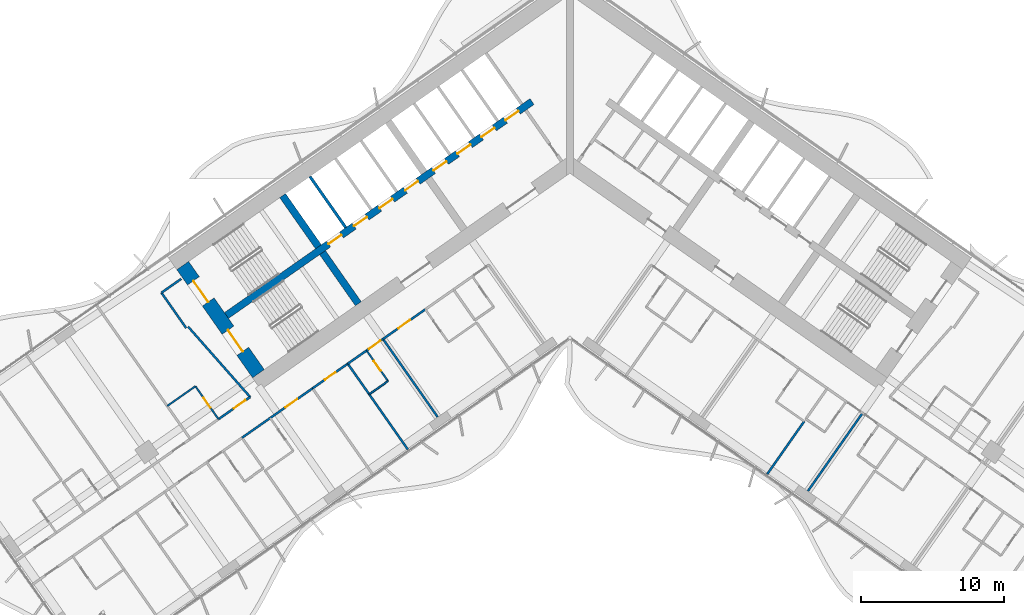
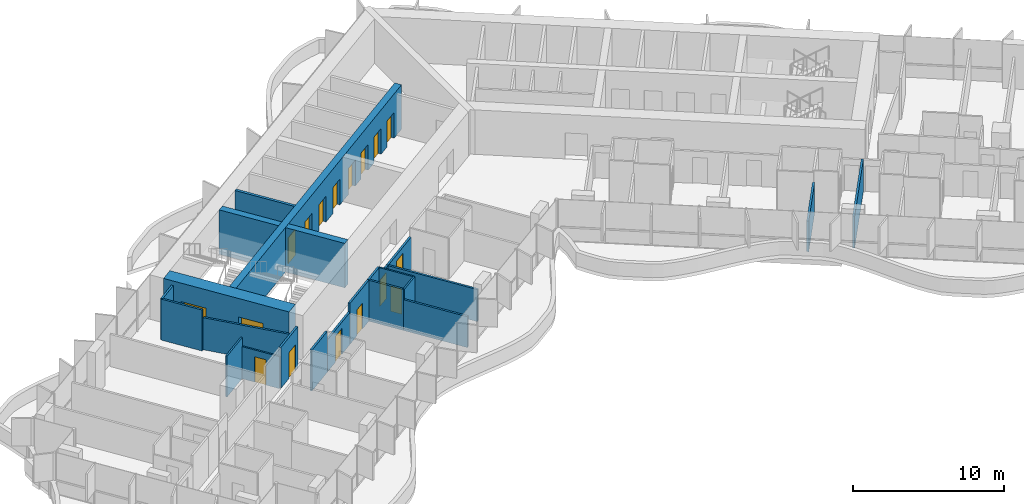
# One storey, part 14 of 25: 24 walls, 17 doors, 17 openings.
"""IFC4 building model written with IfcOpenShell, lengths in metres."""

from ifc_helpers import new_model, si_unit, direction, frame, frame_2d, origin, place, context, subcontext, project, spatial, polyline, rectangle, outline, extrude, material, layer, layer_set, type_object, element, fill, save


model = new_model("IFC4")

# Units and contexts
model_context = context("Model", 3, precision=1e-05, world=origin(), true_north=direction((0.0, 1.0)))
body_context = subcontext(model_context, "Body", "Model", "MODEL_VIEW")
ifc_project = project(units=[si_unit("LENGTHUNIT", "METRE"), si_unit("AREAUNIT", "SQUARE_METRE"), si_unit("VOLUMEUNIT", "CUBIC_METRE"), si_unit("PLANEANGLEUNIT", "RADIAN"), si_unit("MASSUNIT", "GRAM", prefix="KILO")], contexts=[model_context])

# Site, building, storey
site_placement = place(None, origin())
site = spatial("IfcSite", under=ifc_project, at=site_placement, CompositionType="ELEMENT")
building_placement = place(site_placement, origin())
building = spatial("IfcBuilding", under=site, at=building_placement, Name="Tel Ilan Convention Tower", CompositionType="ELEMENT")
storey_placement = place(building_placement, frame((0.0, 0.0, 58.10009765625)))
storey = spatial("IfcBuildingStorey", under=building, at=storey_placement, Name="L09", CompositionType="ELEMENT", Elevation=58.10009765625)

# Wall, openings, doors
ifc_material_1 = material(Name="Concrete C60/75", Category="concrete")
ifc_layer_1 = layer(ifc_material_1, 1.0)
ifc_layer_set_1 = layer_set([ifc_layer_1], Name="Core Shear Wall 1000 mm C60/75")
wall_type_1 = type_object("IfcWallType", Name="Core Shear Wall 1000 mm C60/75", PredefinedType="SHEAR", material=ifc_layer_set_1)
wall_1_placement = place(storey_placement, frame((-21.70751953125, -15.19970703125, 0.0), z_axis=(0.0, 0.0, 1.0), x_axis=(-0.573576324356, 0.819152122709, 0.0)))
wall_1 = element("IfcWall", 1, at=wall_1_placement, inside=storey, type_object=wall_type_1, Name="L09 core wall W-end", PredefinedType="SHEAR", context=body_context, shape_type="SweptSolid", body=[
    extrude(outline(polyline([(0.0, 0.5), (0.0, -0.5), (9.199951171875, -0.5), (9.199951171875, 0.5), (0.0, 0.5)])), origin(), (0.0, 0.0, 1.0), 3.599853515625),
])
opening_1_placement = place(wall_1_placement, frame((6.10009765625, 0.0, 0.0)))
opening_1 = element("IfcOpeningElement", 2, at=opening_1_placement, cuts=wall_1, Name="Opening SD1101", PredefinedType="OPENING", context=body_context, shape_type="SweptSolid", body=[
    extrude(rectangle(XDim=1.800048828125, YDim=2.10009765625, at=frame_2d((0.89990234375, 1.050048828125))), frame((0.0, 0.510009765625, 0.0), z_axis=(0.0, -1.0, 0.0), x_axis=(1.0, 0.0, 0.0)), (0.0, 0.0, 1.0), 1.02001953125),
])
opening_2_placement = place(wall_1_placement, frame((1.89990234375, 0.0, 0.0)))
opening_2 = element("IfcOpeningElement", 3, at=opening_2_placement, cuts=wall_1, Name="Opening SD1102", PredefinedType="OPENING", context=body_context, shape_type="SweptSolid", body=[
    extrude(rectangle(XDim=1.800048828125, YDim=2.10009765625, at=frame_2d((0.89990234375, 1.050048828125))), frame((0.0, 0.510009765625, 0.0), z_axis=(0.0, -1.0, 0.0), x_axis=(1.0, 0.0, 0.0)), (0.0, 0.0, 1.0), 1.02001953125),
])
ifc_material_2 = material(Name="Galvanised Steel Door Leaf", Category="steel")
door_type_1 = type_object("IfcDoorType", Name="Stair Fire Door 1800 x 2100 FD60S", OperationType="NOTDEFINED", PredefinedType="DOOR", material=ifc_material_2)
door_1_placement = place(opening_1_placement, origin())
door_1 = element("IfcDoor", 4, at=door_1_placement, inside=storey, type_object=door_type_1, Name="Stair S1 door", OperationType="DOUBLE_DOOR_SINGLE_SWING", OverallHeight=2.10009765625, OverallWidth=1.800048828125, PredefinedType="DOOR", context=body_context, shape_type="SweptSolid", body=[
    extrude(rectangle(XDim=1.800048828125, YDim=2.10009765625, at=frame_2d((0.89990234375, 1.050048828125))), frame((0.0, 0.02490234375, 0.0), z_axis=(0.0, -1.0, 0.0), x_axis=(1.0, 0.0, 0.0)), (0.0, 0.0, 1.0), 0.050048828125),
])
fill(opening_1, door_1)
door_2_placement = place(opening_2_placement, origin())
door_2 = element("IfcDoor", 5, at=door_2_placement, inside=storey, type_object=door_type_1, Name="Stair S2 door", OperationType="DOUBLE_DOOR_SINGLE_SWING", OverallHeight=2.10009765625, OverallWidth=1.800048828125, PredefinedType="DOOR", context=body_context, shape_type="SweptSolid", body=[
    extrude(rectangle(XDim=1.800048828125, YDim=2.10009765625, at=frame_2d((0.89990234375, 1.050048828125))), frame((0.0, 0.02490234375, 0.0), z_axis=(0.0, -1.0, 0.0), x_axis=(1.0, 0.0, 0.0)), (0.0, 0.0, 1.0), 0.050048828125),
])
fill(opening_2, door_2)

# Walls
ifc_material_3 = material(Name="Concrete C60/75", Category="concrete")
ifc_layer_2 = layer(ifc_material_3, 0.5)
ifc_layer_set_2 = layer_set([ifc_layer_2], Name="Core Shear Wall 500 mm C60/75")
wall_type_2 = type_object("IfcWallType", Name="Core Shear Wall 500 mm C60/75", PredefinedType="SHEAR", material=ifc_layer_set_2)
wall_2_placement = place(storey_placement, frame((-14.74462890625, -10.324462890625, 0.0), z_axis=(0.0, 0.0, 1.0), x_axis=(-0.57356780395, 0.819158088694, 0.0)))
element("IfcWall", 6, at=wall_2_placement, inside=storey, type_object=wall_type_2, Name="L09 core wall W-cross2-1", PredefinedType="SHEAR", context=body_context, shape_type="SweptSolid", body=[
    extrude(outline(polyline([(4.35009765625, 0.250244140625), (0.0, 0.25), (0.0, -0.25), (4.35009765625, -0.25), (4.35009765625, 0.250244140625)])), origin(), (0.0, 0.0, 1.0), 3.599853515625),
])
wall_3_placement = place(storey_placement, frame((-17.526611328125, -6.3515625, 0.0), z_axis=(0.0, 0.0, 1.0), x_axis=(-0.573530143085, 0.819184457233, 0.0)))
element("IfcWall", 7, at=wall_3_placement, inside=storey, type_object=wall_type_2, Name="L09 core wall W-cross2-2", PredefinedType="SHEAR", context=body_context, shape_type="SweptSolid", body=[
    extrude(outline(polyline([(4.35009765625, -0.249755859375), (4.35009765625, 0.250244140625), (0.0, 0.25), (0.0, -0.25), (4.35009765625, -0.249755859375)])), origin(), (0.0, 0.0, 1.0), 3.599853515625),
])

# Wall, openings, doors
wall_4_placement = place(storey_placement, frame((-2.638427734375, 3.76806640625, 0.0), z_axis=(0.0, 0.0, 1.0), x_axis=(-0.819148977158, -0.573580816643, 0.0)))
wall_4 = element("IfcWall", 8, at=wall_4_placement, inside=storey, type_object=wall_type_2, Name="L09 core wall W-spine", PredefinedType="SHEAR", context=body_context, shape_type="SweptSolid", body=[
    extrude(outline(polyline([(26.0, 0.249755859375), (0.0, 0.25), (0.0, -0.25), (26.0, -0.250244140625), (26.0, 0.249755859375)])), origin(), (0.0, 0.0, 1.0), 3.599853515625),
])
opening_3_placement = place(wall_4_placement, frame((1.168701171875, 0.0, 0.0)))
opening_3 = element("IfcOpeningElement", 9, at=opening_3_placement, cuts=wall_4, Name="Opening LD1104", PredefinedType="OPENING", context=body_context, shape_type="SweptSolid", body=[
    extrude(rectangle(XDim=1.10009765625, YDim=2.10009765625, at=frame_2d((0.550048828125, 1.050048828125))), frame((0.0, 0.260009765625, 0.0), z_axis=(0.0, -1.0, 0.0), x_axis=(1.0, 0.0, 0.0)), (0.0, 0.0, 1.0), 0.52001953125),
])
opening_4_placement = place(wall_4_placement, frame((3.206298828125, 0.0, 0.0)))
opening_4 = element("IfcOpeningElement", 10, at=opening_4_placement, cuts=wall_4, Name="Opening LD1105", PredefinedType="OPENING", context=body_context, shape_type="SweptSolid", body=[
    extrude(rectangle(XDim=1.10009765625, YDim=2.10009765625, at=frame_2d((0.550048828125, 1.050048828125))), frame((0.0, 0.260009765625, 0.0), z_axis=(0.0, -1.0, 0.0), x_axis=(1.0, 0.0, 0.0)), (0.0, 0.0, 1.0), 0.52001953125),
])
opening_5_placement = place(wall_4_placement, frame((5.24365234375, 0.0, 0.0)))
opening_5 = element("IfcOpeningElement", 11, at=opening_5_placement, cuts=wall_4, Name="Opening LD1106", PredefinedType="OPENING", context=body_context, shape_type="SweptSolid", body=[
    extrude(rectangle(XDim=1.10009765625, YDim=2.10009765625, at=frame_2d((0.550048828125, 1.050048828125))), frame((0.0, 0.260009765625, 0.0), z_axis=(0.0, -1.0, 0.0), x_axis=(1.0, 0.0, 0.0)), (0.0, 0.0, 1.0), 0.52001953125),
])
opening_6_placement = place(wall_4_placement, frame((7.28125, 0.0, 0.0)))
opening_6 = element("IfcOpeningElement", 12, at=opening_6_placement, cuts=wall_4, Name="Opening LD1107", PredefinedType="OPENING", context=body_context, shape_type="SweptSolid", body=[
    extrude(rectangle(XDim=1.10009765625, YDim=2.10009765625, at=frame_2d((0.550048828125, 1.050048828125))), frame((0.0, 0.260009765625, 0.0), z_axis=(0.0, -1.0, 0.0), x_axis=(1.0, 0.0, 0.0)), (0.0, 0.0, 1.0), 0.52001953125),
])
opening_7_placement = place(wall_4_placement, frame((9.6875, 0.0, 0.0)))
opening_7 = element("IfcOpeningElement", 13, at=opening_7_placement, cuts=wall_4, Name="Opening LD1108", PredefinedType="OPENING", context=body_context, shape_type="SweptSolid", body=[
    extrude(rectangle(XDim=1.10009765625, YDim=2.10009765625, at=frame_2d((0.550048828125, 1.050048828125))), frame((0.0, 0.260009765625, 0.0), z_axis=(0.0, -1.0, 0.0), x_axis=(1.0, 0.0, 0.0)), (0.0, 0.0, 1.0), 0.52001953125),
])
opening_8_placement = place(wall_4_placement, frame((11.862548828125, 0.0, 0.0)))
opening_8 = element("IfcOpeningElement", 14, at=opening_8_placement, cuts=wall_4, Name="Opening LD1109", PredefinedType="OPENING", context=body_context, shape_type="SweptSolid", body=[
    extrude(rectangle(XDim=1.10009765625, YDim=2.10009765625, at=frame_2d((0.550048828125, 1.050048828125))), frame((0.0, 0.260009765625, 0.0), z_axis=(0.0, -1.0, 0.0), x_axis=(1.0, 0.0, 0.0)), (0.0, 0.0, 1.0), 0.52001953125),
])
opening_9_placement = place(wall_4_placement, frame((14.03759765625, 0.0, 0.0)))
opening_9 = element("IfcOpeningElement", 15, at=opening_9_placement, cuts=wall_4, Name="Opening LD1110", PredefinedType="OPENING", context=body_context, shape_type="SweptSolid", body=[
    extrude(rectangle(XDim=1.10009765625, YDim=2.10009765625, at=frame_2d((0.550048828125, 1.050048828125))), frame((0.0, 0.260009765625, 0.0), z_axis=(0.0, -1.0, 0.0), x_axis=(1.0, 0.0, 0.0)), (0.0, 0.0, 1.0), 0.52001953125),
])
opening_10_placement = place(wall_4_placement, frame((16.21240234375, 0.0, 0.0)))
opening_10 = element("IfcOpeningElement", 16, at=opening_10_placement, cuts=wall_4, Name="Opening LD1111", PredefinedType="OPENING", context=body_context, shape_type="SweptSolid", body=[
    extrude(rectangle(XDim=1.10009765625, YDim=2.10009765625, at=frame_2d((0.550048828125, 1.050048828125))), frame((0.0, 0.260009765625, 0.0), z_axis=(0.0, -1.0, 0.0), x_axis=(1.0, 0.0, 0.0)), (0.0, 0.0, 1.0), 0.52001953125),
])
ifc_material_4 = material(Name="Stainless Steel Sliding Door Leaf", Category="steel")
door_type_2 = type_object("IfcDoorType", Name="Lift Landing Door 1100 x 2100 FD120", OperationType="NOTDEFINED", PredefinedType="DOOR", material=ifc_material_4)
door_3_placement = place(opening_3_placement, origin())
door_3 = element("IfcDoor", 17, at=door_3_placement, inside=storey, type_object=door_type_2, Name="Lift LR1 landing door", OperationType="SLIDING_TO_LEFT", OverallHeight=2.10009765625, OverallWidth=1.10009765625, PredefinedType="DOOR", context=body_context, shape_type="SweptSolid", body=[
    extrude(rectangle(XDim=1.10009765625, YDim=2.10009765625, at=frame_2d((0.550048828125, 1.050048828125))), frame((0.0, 0.02490234375, 0.0), z_axis=(0.0, -1.0, 0.0), x_axis=(1.0, 0.0, 0.0)), (0.0, 0.0, 1.0), 0.050048828125),
])
fill(opening_3, door_3)
door_4_placement = place(opening_4_placement, origin())
door_4 = element("IfcDoor", 18, at=door_4_placement, inside=storey, type_object=door_type_2, Name="Lift LR2 landing door", OperationType="SLIDING_TO_RIGHT", OverallHeight=2.10009765625, OverallWidth=1.10009765625, PredefinedType="DOOR", context=body_context, shape_type="SweptSolid", body=[
    extrude(rectangle(XDim=1.10009765625, YDim=2.10009765625, at=frame_2d((0.550048828125, 1.050048828125))), frame((0.0, 0.02490234375, 0.0), z_axis=(0.0, -1.0, 0.0), x_axis=(1.0, 0.0, 0.0)), (0.0, 0.0, 1.0), 0.050048828125),
])
fill(opening_4, door_4)
door_5_placement = place(opening_5_placement, origin())
door_5 = element("IfcDoor", 19, at=door_5_placement, inside=storey, type_object=door_type_2, Name="Lift LR3 landing door", OperationType="SLIDING_TO_LEFT", OverallHeight=2.10009765625, OverallWidth=1.10009765625, PredefinedType="DOOR", context=body_context, shape_type="SweptSolid", body=[
    extrude(rectangle(XDim=1.10009765625, YDim=2.10009765625, at=frame_2d((0.550048828125, 1.050048828125))), frame((0.0, 0.02490234375, 0.0), z_axis=(0.0, -1.0, 0.0), x_axis=(1.0, 0.0, 0.0)), (0.0, 0.0, 1.0), 0.050048828125),
])
fill(opening_5, door_5)
door_6_placement = place(opening_6_placement, origin())
door_6 = element("IfcDoor", 20, at=door_6_placement, inside=storey, type_object=door_type_2, Name="Lift LR4 landing door", OperationType="SLIDING_TO_RIGHT", OverallHeight=2.10009765625, OverallWidth=1.10009765625, PredefinedType="DOOR", context=body_context, shape_type="SweptSolid", body=[
    extrude(rectangle(XDim=1.10009765625, YDim=2.10009765625, at=frame_2d((0.550048828125, 1.050048828125))), frame((0.0, 0.02490234375, 0.0), z_axis=(0.0, -1.0, 0.0), x_axis=(1.0, 0.0, 0.0)), (0.0, 0.0, 1.0), 0.050048828125),
])
fill(opening_6, door_6)
door_7_placement = place(opening_7_placement, origin())
door_7 = element("IfcDoor", 21, at=door_7_placement, inside=storey, type_object=door_type_2, Name="Lift LR5 landing door", OperationType="SLIDING_TO_LEFT", OverallHeight=2.10009765625, OverallWidth=1.10009765625, PredefinedType="DOOR", context=body_context, shape_type="SweptSolid", body=[
    extrude(rectangle(XDim=1.10009765625, YDim=2.10009765625, at=frame_2d((0.550048828125, 1.050048828125))), frame((0.0, 0.02490234375, 0.0), z_axis=(0.0, -1.0, 0.0), x_axis=(1.0, 0.0, 0.0)), (0.0, 0.0, 1.0), 0.050048828125),
])
fill(opening_7, door_7)
door_8_placement = place(opening_8_placement, origin())
door_8 = element("IfcDoor", 22, at=door_8_placement, inside=storey, type_object=door_type_2, Name="Lift LR6 landing door", OperationType="SLIDING_TO_RIGHT", OverallHeight=2.10009765625, OverallWidth=1.10009765625, PredefinedType="DOOR", context=body_context, shape_type="SweptSolid", body=[
    extrude(rectangle(XDim=1.10009765625, YDim=2.10009765625, at=frame_2d((0.550048828125, 1.050048828125))), frame((0.0, 0.02490234375, 0.0), z_axis=(0.0, -1.0, 0.0), x_axis=(1.0, 0.0, 0.0)), (0.0, 0.0, 1.0), 0.050048828125),
])
fill(opening_8, door_8)
door_9_placement = place(opening_9_placement, origin())
door_9 = element("IfcDoor", 23, at=door_9_placement, inside=storey, type_object=door_type_2, Name="Lift LR7 landing door", OperationType="SLIDING_TO_LEFT", OverallHeight=2.10009765625, OverallWidth=1.10009765625, PredefinedType="DOOR", context=body_context, shape_type="SweptSolid", body=[
    extrude(rectangle(XDim=1.10009765625, YDim=2.10009765625, at=frame_2d((0.550048828125, 1.050048828125))), frame((0.0, 0.02490234375, 0.0), z_axis=(0.0, -1.0, 0.0), x_axis=(1.0, 0.0, 0.0)), (0.0, 0.0, 1.0), 0.050048828125),
])
fill(opening_9, door_9)
door_10_placement = place(opening_10_placement, origin())
door_10 = element("IfcDoor", 24, at=door_10_placement, inside=storey, type_object=door_type_2, Name="Lift LR8 landing door", OperationType="SLIDING_TO_RIGHT", OverallHeight=2.10009765625, OverallWidth=1.10009765625, PredefinedType="DOOR", context=body_context, shape_type="SweptSolid", body=[
    extrude(rectangle(XDim=1.10009765625, YDim=2.10009765625, at=frame_2d((0.550048828125, 1.050048828125))), frame((0.0, 0.02490234375, 0.0), z_axis=(0.0, -1.0, 0.0), x_axis=(1.0, 0.0, 0.0)), (0.0, 0.0, 1.0), 0.050048828125),
])
fill(opening_10, door_10)

# Wall, opening, door
ifc_material_5 = material(Name="Plasterboard on Steel Studs", Category="steel")
ifc_layer_3 = layer(ifc_material_5, 0.14990234375)
ifc_layer_set_3 = layer_set([ifc_layer_3], Name="Fire-rated Partition 150 EI 60")
wall_type_3 = type_object("IfcWallType", Name="Fire-rated Partition 150 EI 60", PredefinedType="PARTITIONING", material=ifc_layer_set_3)
wall_5_placement = place(storey_placement, frame((-24.493408203125, -18.37109375, 0.0), z_axis=(0.0, 0.0, 1.0), x_axis=(0.819176640776, 0.573541307325, 0.0)))
wall_5 = element("IfcWall", 25, at=wall_5_placement, inside=storey, type_object=wall_type_3, Name="Partition 028", PredefinedType="PARTITIONING", context=body_context, shape_type="SweptSolid", body=[
    extrude(rectangle(XDim=2.697509765625, YDim=0.14990234375, at=frame_2d((1.3486328125, 0.0))), origin(), (0.0, 0.0, 1.0), 3.31982421875),
])
opening_11_placement = place(wall_5_placement, frame((1.301025390625, 0.0, 0.0)))
opening_11 = element("IfcOpeningElement", 26, at=opening_11_placement, cuts=wall_5, Name="Opening L08-018", PredefinedType="OPENING", context=body_context, shape_type="SweptSolid", body=[
    extrude(rectangle(XDim=1.0, YDim=2.10009765625, at=frame_2d((0.5, 1.050048828125))), frame((0.0, 0.0849609375, 0.0), z_axis=(0.0, -1.0, 0.0), x_axis=(1.0, 0.0, 0.0)), (0.0, 0.0, 1.0), 0.169921875),
])
ifc_material_6 = material(Name="Timber Door Leaf in Steel Frame", Category="steel")
door_type_3 = type_object("IfcDoorType", Name="Hotel Room Entrance Fire Door 1000x2100", OperationType="NOTDEFINED", PredefinedType="DOOR", material=ifc_material_6)
door_11_placement = place(opening_11_placement, origin())
door_11 = element("IfcDoor", 27, at=door_11_placement, inside=storey, type_object=door_type_3, Name="Door L08-018", OperationType="SINGLE_SWING_RIGHT", OverallHeight=2.10009765625, OverallWidth=1.0, PredefinedType="DOOR", context=body_context, shape_type="SweptSolid", body=[
    extrude(rectangle(XDim=1.0, YDim=2.10009765625, at=frame_2d((0.5, 1.050048828125))), frame((0.0, 0.02490234375, 0.0), z_axis=(0.0, -1.0, 0.0), x_axis=(1.0, 0.0, 0.0)), (0.0, 0.0, 1.0), 0.050048828125),
])
fill(opening_11, door_11)

wall_6_placement = place(storey_placement, frame((-10.07421875, -10.71630859375, 0.0), z_axis=(0.0, 0.0, 1.0), x_axis=(-0.819145961204, -0.573585123798, 0.0)))
wall_6 = element("IfcWall", 28, at=wall_6_placement, inside=storey, type_object=wall_type_3, Name="Partition 037", PredefinedType="PARTITIONING", context=body_context, shape_type="SweptSolid", body=[
    extrude(rectangle(XDim=3.60302734375, YDim=0.14990234375, at=frame_2d((1.801513671875, 0.0))), origin(), (0.0, 0.0, 1.0), 2.599853515625),
])
opening_12_placement = place(wall_6_placement, frame((1.301025390625, 0.0, 0.0)))
opening_12 = element("IfcOpeningElement", 29, at=opening_12_placement, cuts=wall_6, Name="Opening L08-004", PredefinedType="OPENING", context=body_context, shape_type="SweptSolid", body=[
    extrude(rectangle(XDim=1.0, YDim=2.10009765625, at=frame_2d((0.5, 1.050048828125))), frame((0.0, 0.0849609375, 0.0), z_axis=(0.0, -1.0, 0.0), x_axis=(1.0, 0.0, 0.0)), (0.0, 0.0, 1.0), 0.169921875),
])
door_12_placement = place(opening_12_placement, origin())
door_12 = element("IfcDoor", 30, at=door_12_placement, inside=storey, type_object=door_type_3, Name="Door L08-004", OperationType="SINGLE_SWING_RIGHT", OverallHeight=2.10009765625, OverallWidth=1.0, PredefinedType="DOOR", context=body_context, shape_type="SweptSolid", body=[
    extrude(rectangle(XDim=1.0, YDim=2.10009765625, at=frame_2d((0.5, 1.050048828125))), frame((0.0, 0.02490234375, 0.0), z_axis=(0.0, -1.0, 0.0), x_axis=(1.0, 0.0, 0.0)), (0.0, 0.0, 1.0), 0.050048828125),
])
fill(opening_12, door_12)

wall_7_placement = place(storey_placement, frame((-13.0224609375, -12.78076171875, 0.0), z_axis=(0.0, 0.0, 1.0), x_axis=(-0.81914197737, -0.573590813132, 0.0)))
wall_7 = element("IfcWall", 31, at=wall_7_placement, inside=storey, type_object=wall_type_3, Name="Partition 039", PredefinedType="PARTITIONING", context=body_context, shape_type="SweptSolid", body=[
    extrude(rectangle(XDim=1.40283203125, YDim=0.14990234375, at=frame_2d((0.701416015625, 0.0))), origin(), (0.0, 0.0, 1.0), 2.599853515625),
])
opening_13_placement = place(wall_7_placement, frame((0.201904296875, 0.0, 0.0)))
opening_13 = element("IfcOpeningElement", 32, at=opening_13_placement, cuts=wall_7, Name="Opening L08-006", PredefinedType="OPENING", context=body_context, shape_type="SweptSolid", body=[
    extrude(rectangle(XDim=1.0, YDim=2.10009765625, at=frame_2d((0.5, 1.050048828125))), frame((0.0, 0.0849609375, 0.0), z_axis=(0.0, -1.0, 0.0), x_axis=(1.0, 0.0, 0.0)), (0.0, 0.0, 1.0), 0.169921875),
])
door_13_placement = place(opening_13_placement, origin())
door_13 = element("IfcDoor", 33, at=door_13_placement, inside=storey, type_object=door_type_3, Name="Door L08-006", OperationType="SINGLE_SWING_LEFT", OverallHeight=2.10009765625, OverallWidth=1.0, PredefinedType="DOOR", context=body_context, shape_type="SweptSolid", body=[
    extrude(rectangle(XDim=1.0, YDim=2.10009765625, at=frame_2d((0.5, 1.050048828125))), frame((0.0, 0.02490234375, 0.0), z_axis=(0.0, -1.0, 0.0), x_axis=(1.0, 0.0, 0.0)), (0.0, 0.0, 1.0), 0.050048828125),
])
fill(opening_13, door_13)

# Wall
wall_8_placement = place(storey_placement, frame((-14.169189453125, -13.583740234375, 0.0), z_axis=(0.0, 0.0, 1.0), x_axis=(-0.819189013667, -0.573523634986, 0.0)))
element("IfcWall", 34, at=wall_8_placement, inside=storey, type_object=wall_type_3, Name="Partition 040", PredefinedType="PARTITIONING", context=body_context, shape_type="SweptSolid", body=[
    extrude(rectangle(XDim=1.60400390625, YDim=0.14990234375, at=frame_2d((0.802001953125, 0.0))), origin(), (0.0, 0.0, 1.0), 3.31982421875),
])

# Wall, opening, door
wall_9_placement = place(storey_placement, frame((-15.479736328125, -14.50146484375, 0.0), z_axis=(0.0, 0.0, 1.0), x_axis=(-0.819193738533, -0.573516886193, 0.0)))
wall_9 = element("IfcWall", 35, at=wall_9_placement, inside=storey, type_object=wall_type_3, Name="Partition 041", PredefinedType="PARTITIONING", context=body_context, shape_type="SweptSolid", body=[
    extrude(rectangle(XDim=3.004150390625, YDim=0.14990234375, at=frame_2d((1.501953125, 0.0))), origin(), (0.0, 0.0, 1.0), 3.31982421875),
])
opening_14_placement = place(wall_9_placement, frame((1.052001953125, 0.0, 0.0)))
opening_14 = element("IfcOpeningElement", 36, at=opening_14_placement, cuts=wall_9, Name="Opening L08-007", PredefinedType="OPENING", context=body_context, shape_type="SweptSolid", body=[
    extrude(rectangle(XDim=0.89990234375, YDim=2.10009765625, at=frame_2d((0.449951171875, 1.050048828125))), frame((0.0, 0.0849609375, 0.0), z_axis=(0.0, -1.0, 0.0), x_axis=(1.0, 0.0, 0.0)), (0.0, 0.0, 1.0), 0.169921875),
])
ifc_material_7 = material(Name="Timber Door Leaf in Steel Frame", Category="steel")
door_type_4 = type_object("IfcDoorType", Name="Room Fire Door 900x2100", OperationType="NOTDEFINED", PredefinedType="DOOR", material=ifc_material_7)
door_14_placement = place(opening_14_placement, origin())
door_14 = element("IfcDoor", 37, at=door_14_placement, inside=storey, type_object=door_type_4, Name="Door L08-007", OperationType="SINGLE_SWING_RIGHT", OverallHeight=2.10009765625, OverallWidth=0.89990234375, PredefinedType="DOOR", context=body_context, shape_type="SweptSolid", body=[
    extrude(rectangle(XDim=0.89990234375, YDim=2.10009765625, at=frame_2d((0.449951171875, 1.050048828125))), frame((0.0, 0.02490234375, 0.0), z_axis=(0.0, -1.0, 0.0), x_axis=(1.0, 0.0, 0.0)), (0.0, 0.0, 1.0), 0.050048828125),
])
fill(opening_14, door_14)

wall_10_placement = place(storey_placement, frame((-17.937255859375, -16.22216796875, 0.0), z_axis=(0.0, 0.0, 1.0), x_axis=(-0.819145961204, -0.573585123798, 0.0)))
wall_10 = element("IfcWall", 38, at=wall_10_placement, inside=storey, type_object=wall_type_3, Name="Partition 042", PredefinedType="PARTITIONING", context=body_context, shape_type="SweptSolid", body=[
    extrude(rectangle(XDim=3.60302734375, YDim=0.14990234375, at=frame_2d((1.801513671875, 0.0))), origin(), (0.0, 0.0, 1.0), 2.599853515625),
])
opening_15_placement = place(wall_10_placement, frame((1.302001953125, 0.0, 0.0)))
opening_15 = element("IfcOpeningElement", 39, at=opening_15_placement, cuts=wall_10, Name="Opening L08-009", PredefinedType="OPENING", context=body_context, shape_type="SweptSolid", body=[
    extrude(rectangle(XDim=1.0, YDim=2.10009765625, at=frame_2d((0.5, 1.050048828125))), frame((0.0, 0.0849609375, 0.0), z_axis=(0.0, -1.0, 0.0), x_axis=(1.0, 0.0, 0.0)), (0.0, 0.0, 1.0), 0.169921875),
])
door_15_placement = place(opening_15_placement, origin())
door_15 = element("IfcDoor", 40, at=door_15_placement, inside=storey, type_object=door_type_3, Name="Door L08-009", OperationType="SINGLE_SWING_LEFT", OverallHeight=2.10009765625, OverallWidth=1.0, PredefinedType="DOOR", context=body_context, shape_type="SweptSolid", body=[
    extrude(rectangle(XDim=1.0, YDim=2.10009765625, at=frame_2d((0.5, 1.050048828125))), frame((0.0, 0.02490234375, 0.0), z_axis=(0.0, -1.0, 0.0), x_axis=(1.0, 0.0, 0.0)), (0.0, 0.0, 1.0), 0.050048828125),
])
fill(opening_15, door_15)

# Walls
wall_11_placement = place(storey_placement, frame((-20.88623046875, -18.287109375, 0.0), z_axis=(0.0, 0.0, 1.0), x_axis=(-0.819146032251, -0.573585022335, 0.0)))
element("IfcWall", 41, at=wall_11_placement, inside=storey, type_object=wall_type_3, Name="Partition 043", PredefinedType="PARTITIONING", context=body_context, shape_type="SweptSolid", body=[
    extrude(rectangle(XDim=2.404052734375, YDim=0.14990234375, at=frame_2d((1.2021484375, 0.0))), origin(), (0.0, 0.0, 1.0), 3.31982421875),
])
wall_12_placement = place(storey_placement, frame((16.332275390625, -18.517578125, 0.0), z_axis=(0.0, 0.0, 1.0), x_axis=(-0.573564311442, -0.819160534108, 0.0)))
element("IfcWall", 42, at=wall_12_placement, inside=storey, type_object=wall_type_3, Name="Partition 080", PredefinedType="PARTITIONING", context=body_context, shape_type="SweptSolid", body=[
    extrude(rectangle(XDim=4.499267578125, YDim=0.14990234375, at=frame_2d((2.24951171875, 0.0))), origin(), (0.0, 0.0, 1.0), 2.5),
])
wall_13_placement = place(storey_placement, frame((20.396484375, -17.944091796875, 0.0), z_axis=(0.0, 0.0, 1.0), x_axis=(-0.57359826181, -0.819136761505, 0.0)))
element("IfcWall", 43, at=wall_13_placement, inside=storey, type_object=wall_type_3, Name="Partition 084", PredefinedType="PARTITIONING", context=body_context, shape_type="SweptSolid", body=[
    extrude(rectangle(XDim=6.630126953125, YDim=0.14990234375, at=frame_2d((3.31494140625, 0.0))), origin(), (0.0, 0.0, 1.0), 2.599853515625),
])
wall_14_placement = place(storey_placement, frame((-26.74609375, -12.013671875, 0.0), z_axis=(0.0, 0.0, 1.0), x_axis=(-0.573560650686, 0.819163097304, 0.0)))
element("IfcWall", 44, at=wall_14_placement, inside=storey, type_object=wall_type_3, Name="Partition 102", PredefinedType="PARTITIONING", context=body_context, shape_type="SweptSolid", body=[
    extrude(rectangle(XDim=3.0, YDim=0.14990234375, at=frame_2d((1.5, 0.0))), origin(), (0.0, 0.0, 1.0), 3.31982421875),
])
wall_15_placement = place(storey_placement, frame((-28.466796875, -9.55615234375, 0.0), z_axis=(0.0, 0.0, 1.0), x_axis=(0.819109000826, 0.573637903879, 0.0)))
element("IfcWall", 45, at=wall_15_placement, inside=storey, type_object=wall_type_3, Name="Partition 103", PredefinedType="PARTITIONING", context=body_context, shape_type="SweptSolid", body=[
    extrude(rectangle(XDim=1.679931640625, YDim=0.14990234375, at=frame_2d((0.83984375, 0.0))), origin(), (0.0, 0.0, 1.0), 3.31982421875),
])
wall_16_placement = place(storey_placement, frame((-22.2841796875, -16.82666015625, 0.0), z_axis=(0.0, 0.0, 1.0), x_axis=(-0.661545117561, 0.749905365651, 0.0)))
element("IfcWall", 46, at=wall_16_placement, inside=storey, type_object=wall_type_3, Name="Partition 104", PredefinedType="PARTITIONING", context=body_context, shape_type="SweptSolid", body=[
    extrude(rectangle(XDim=6.542724609375, YDim=0.14990234375, at=frame_2d((3.271484375, 0.0))), origin(), (0.0, 0.0, 1.0), 2.599853515625),
])
wall_17_placement = place(storey_placement, frame((-9.22119140625, -18.212890625, 0.0), z_axis=(0.0, 0.0, 1.0), x_axis=(-0.573556251799, 0.819166177294, 0.0)))
element("IfcWall", 47, at=wall_17_placement, inside=storey, type_object=wall_type_3, Name="Partition 122", PredefinedType="PARTITIONING", context=body_context, shape_type="SweptSolid", body=[
    extrude(rectangle(XDim=6.630126953125, YDim=0.14990234375, at=frame_2d((3.31494140625, 0.0))), origin(), (0.0, 0.0, 1.0), 2.599853515625),
])
wall_18_placement = place(storey_placement, frame((-11.29443359375, -20.482421875, 0.0), z_axis=(0.0, 0.0, 1.0), x_axis=(-0.573559978739, 0.819163567787, 0.0)))
element("IfcWall", 48, at=wall_18_placement, inside=storey, type_object=wall_type_3, Name="Partition 125", PredefinedType="PARTITIONING", context=body_context, shape_type="SweptSolid", body=[
    extrude(rectangle(XDim=4.69873046875, YDim=0.14990234375, at=frame_2d((2.349365234375, 0.0))), origin(), (0.0, 0.0, 1.0), 2.5),
])
wall_19_placement = place(storey_placement, frame((-13.990234375, -16.63232421875, 0.0), z_axis=(0.0, 0.0, 1.0), x_axis=(-0.573582085028, 0.819148089014, 0.0)))
element("IfcWall", 49, at=wall_19_placement, inside=storey, type_object=wall_type_3, Name="Partition 126", PredefinedType="PARTITIONING", context=body_context, shape_type="SweptSolid", body=[
    extrude(rectangle(XDim=2.599853515625, YDim=0.14990234375, at=frame_2d((1.2998046875, 0.0))), origin(), (0.0, 0.0, 1.0), 3.31982421875),
])
ifc_material_8 = material(Name="Concrete C30/37", Category="concrete")
ifc_layer_4 = layer(ifc_material_8, 0.199951171875)
ifc_layer_set_4 = layer_set([ifc_layer_4], Name="Lift Shaft Wall 200 mm C30/37")
wall_type_4 = type_object("IfcWallType", Name="Lift Shaft Wall 200 mm C30/37", PredefinedType="SOLIDWALL", material=ifc_layer_set_4)
wall_20_placement = place(storey_placement, frame((-15.6220703125, -5.017822265625, 0.0), z_axis=(0.0, 0.0, 1.0), x_axis=(-0.573594173421, 0.819139624372, 0.0)))
element("IfcWall", 50, at=wall_20_placement, inside=storey, type_object=wall_type_4, Name="L09 core wall bank-W2-p2", PredefinedType="SOLIDWALL", context=body_context, shape_type="SweptSolid", body=[
    extrude(rectangle(XDim=4.349853515625, YDim=0.199951171875, at=frame_2d((2.1748046875, 0.0))), origin(), (0.0, 0.0, 1.0), 3.599853515625),
])

# Wall, opening, door
ifc_material_9 = material(Name="Plasterboard on Steel Studs", Category="steel")
ifc_layer_5 = layer(ifc_material_9, 0.1201171875)
ifc_layer_set_5 = layer_set([ifc_layer_5], Name="Moisture-resistant Partition 120")
wall_type_5 = type_object("IfcWallType", Name="Moisture-resistant Partition 120", PredefinedType="PARTITIONING", material=ifc_layer_set_5)
wall_21_placement = place(storey_placement, frame((-24.49169921875, -18.3701171875, 0.0), z_axis=(0.0, 0.0, 1.0), x_axis=(-0.573550118428, 0.819170471667, 0.0)))
wall_21 = element("IfcWall", 51, at=wall_21_placement, inside=storey, type_object=wall_type_5, Name="Partition 105", PredefinedType="PARTITIONING", context=body_context, shape_type="SweptSolid", body=[
    extrude(rectangle(XDim=2.800048828125, YDim=0.1201171875, at=frame_2d((1.39990234375, 0.0))), origin(), (0.0, 0.0, 1.0), 2.599853515625),
])
opening_16_placement = place(wall_21_placement, frame((0.97509765625, 0.0, 0.0)))
opening_16 = element("IfcOpeningElement", 52, at=opening_16_placement, cuts=wall_21, Name="Opening L08-017", PredefinedType="OPENING", context=body_context, shape_type="SweptSolid", body=[
    extrude(rectangle(XDim=0.85009765625, YDim=2.050048828125, at=frame_2d((0.425048828125, 1.02490234375))), frame((0.0, 0.070068359375, 0.0), z_axis=(0.0, -1.0, 0.0), x_axis=(1.0, 0.0, 0.0)), (0.0, 0.0, 1.0), 0.14013671875),
])
ifc_material_10 = material(Name="Timber Door Leaf in Steel Frame", Category="steel")
door_type_5 = type_object("IfcDoorType", Name="Bathroom Timber Door 850x2050", OperationType="NOTDEFINED", PredefinedType="DOOR", material=ifc_material_10)
door_16_placement = place(opening_16_placement, origin())
door_16 = element("IfcDoor", 53, at=door_16_placement, inside=storey, type_object=door_type_5, Name="Door L08-017", OperationType="SINGLE_SWING_LEFT", OverallHeight=2.050048828125, OverallWidth=0.85009765625, PredefinedType="DOOR", context=body_context, shape_type="SweptSolid", body=[
    extrude(rectangle(XDim=0.85009765625, YDim=2.050048828125, at=frame_2d((0.425048828125, 1.02490234375))), frame((0.0, 0.02490234375, 0.0), z_axis=(0.0, -1.0, 0.0), x_axis=(1.0, 0.0, 0.0)), (0.0, 0.0, 1.0), 0.050048828125),
])
fill(opening_16, door_16)

# Walls
wall_22_placement = place(storey_placement, frame((-26.09912109375, -16.076171875, 0.0), z_axis=(0.0, 0.0, 1.0), x_axis=(-0.819155442668, -0.573571582932, 0.0)))
element("IfcWall", 54, at=wall_22_placement, inside=storey, type_object=wall_type_5, Name="Partition 106", PredefinedType="PARTITIONING", context=body_context, shape_type="SweptSolid", body=[
    extrude(rectangle(XDim=2.39990234375, YDim=0.1201171875, at=frame_2d((1.199951171875, 0.0))), origin(), (0.0, 0.0, 1.0), 3.31982421875),
])
wall_23_placement = place(storey_placement, frame((-13.989501953125, -16.63330078125, 0.0), z_axis=(0.0, 0.0, 1.0), x_axis=(0.819131543282, 0.57360571371, 0.0)))
element("IfcWall", 55, at=wall_23_placement, inside=storey, type_object=wall_type_5, Name="Partition 123", PredefinedType="PARTITIONING", context=body_context, shape_type="SweptSolid", body=[
    extrude(rectangle(XDim=1.599853515625, YDim=0.1201171875, at=frame_2d((0.7998046875, 0.0))), origin(), (0.0, 0.0, 1.0), 3.31982421875),
])

# Wall, opening, door
wall_24_placement = place(storey_placement, frame((-12.6787109375, -15.714111328125, 0.0), z_axis=(0.0, 0.0, 1.0), x_axis=(-0.573537965655, 0.819178980414, 0.0)))
wall_24 = element("IfcWall", 56, at=wall_24_placement, inside=storey, type_object=wall_type_5, Name="Partition 124", PredefinedType="PARTITIONING", context=body_context, shape_type="SweptSolid", body=[
    extrude(rectangle(XDim=2.60009765625, YDim=0.1201171875, at=frame_2d((1.300048828125, 0.0))), origin(), (0.0, 0.0, 1.0), 3.31982421875),
])
opening_17_placement = place(wall_24_placement, frame((0.875, 0.0, 0.0)))
opening_17 = element("IfcOpeningElement", 57, at=opening_17_placement, cuts=wall_24, Name="Opening L08-005", PredefinedType="OPENING", context=body_context, shape_type="SweptSolid", body=[
    extrude(rectangle(XDim=0.85009765625, YDim=2.050048828125, at=frame_2d((0.425048828125, 1.02490234375))), frame((0.0, 0.070068359375, 0.0), z_axis=(0.0, -1.0, 0.0), x_axis=(1.0, 0.0, 0.0)), (0.0, 0.0, 1.0), 0.14013671875),
])
door_17_placement = place(opening_17_placement, origin())
door_17 = element("IfcDoor", 58, at=door_17_placement, inside=storey, type_object=door_type_5, Name="Door L08-005", OperationType="SINGLE_SWING_RIGHT", OverallHeight=2.050048828125, OverallWidth=0.85009765625, PredefinedType="DOOR", context=body_context, shape_type="SweptSolid", body=[
    extrude(rectangle(XDim=0.85009765625, YDim=2.050048828125, at=frame_2d((0.425048828125, 1.02490234375))), frame((0.0, 0.02490234375, 0.0), z_axis=(0.0, -1.0, 0.0), x_axis=(1.0, 0.0, 0.0)), (0.0, 0.0, 1.0), 0.050048828125),
])
fill(opening_17, door_17)

save(model, "model.ifc")
